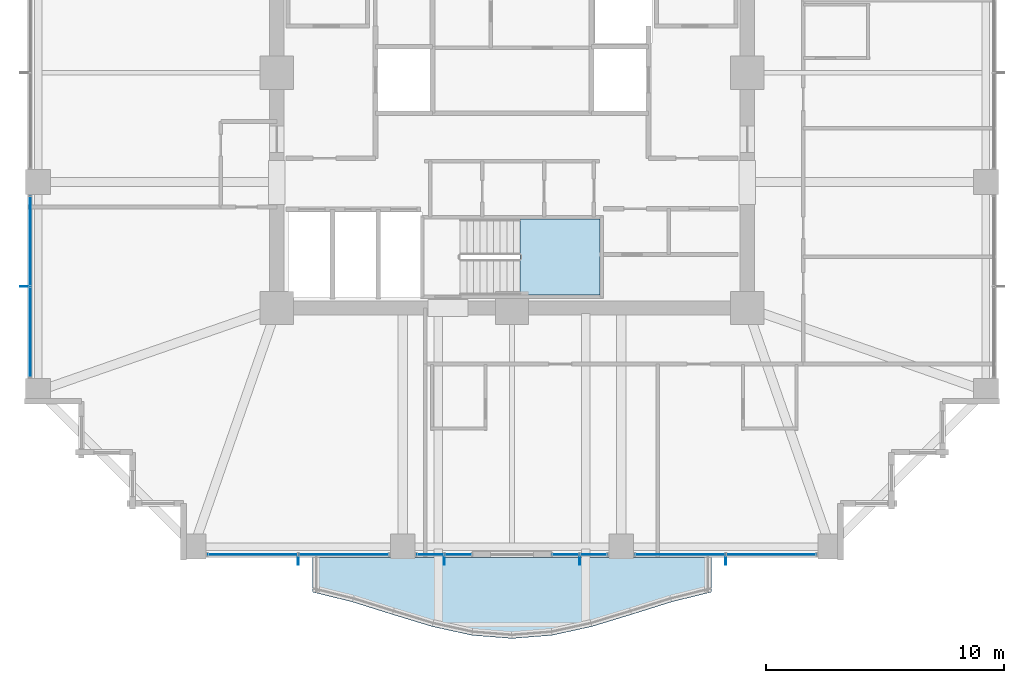
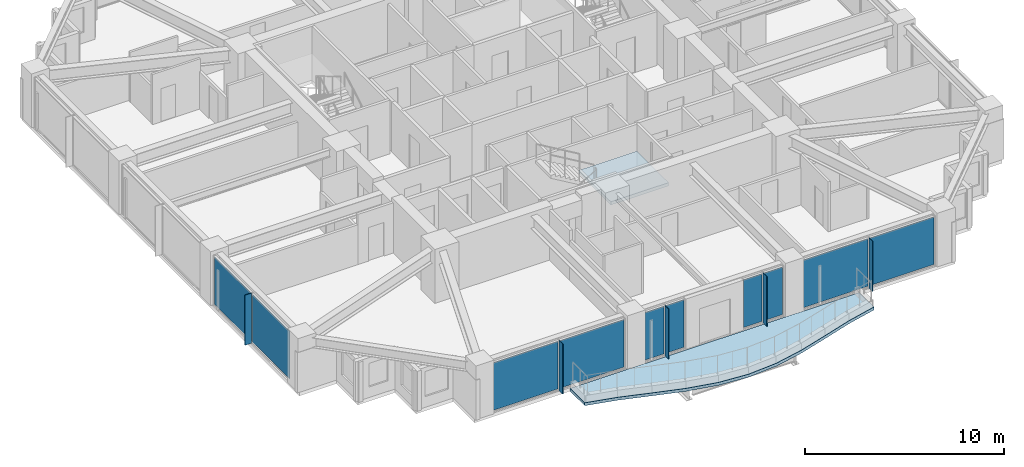
# One storey, part 26 of 38: 15 plates, 2 slabs, 6 elements without a shape of their own.
"""IFC4 building model written with IfcOpenShell, lengths in metres."""

from ifc_helpers import new_model, si_unit, direction, frame, origin, origin_2d, place, context, subcontext, project, spatial, polyline, rectangle, outline, extrude, material, layer, layer_set, type_object, element, aggregate, save


model = new_model("IFC4")

# Units and contexts
model_context = context("Model", 3, precision=1e-05, world=origin(), true_north=direction((0.0, 1.0)))
body_context = subcontext(model_context, "Body", "Model", "MODEL_VIEW")
ifc_project = project(units=[si_unit("LENGTHUNIT", "METRE"), si_unit("AREAUNIT", "SQUARE_METRE"), si_unit("VOLUMEUNIT", "CUBIC_METRE"), si_unit("PLANEANGLEUNIT", "RADIAN"), si_unit("MASSUNIT", "GRAM", prefix="KILO")], contexts=[model_context])

# Site, building, storey
site_placement = place(None, origin())
site = spatial("IfcSite", under=ifc_project, at=site_placement, CompositionType="ELEMENT")
building_placement = place(site_placement, origin())
building = spatial("IfcBuilding", under=site, at=building_placement, Name="Kolvaren Belvedere", CompositionType="ELEMENT")
storey_placement = place(building_placement, frame((0.0, 0.0, 98.60009765625)))
storey = spatial("IfcBuildingStorey", under=building, at=storey_placement, Name="L28", CompositionType="ELEMENT", Elevation=98.60009765625)

# Curtain wall, plates
ifc_material_1 = material(Name="Anodised pale-metal aluminium AA 6063-T6", Category="aluminium")
curtain_wall_type = type_object("IfcCurtainWallType", Name="CW-Z2-MID", PredefinedType="NOTDEFINED", material=ifc_material_1)
curtain_wall_1_placement = place(storey_placement, origin())
curtain_wall_1 = element("IfcCurtainWall", 1, at=curtain_wall_1_placement, inside=storey, type_object=curtain_wall_type, Name="L28 Unitised Curtain Wall FCW-L28-S1-B1", PredefinedType="NOTDEFINED")
ifc_material_2 = material(Name="Low-iron triple insulated glass", Category="glass")
ifc_layer_1 = layer(ifc_material_2, 0.028076171875)
ifc_layer_set_1 = layer_set([ifc_layer_1], Name="Low-iron triple insulated glass")
plate_type_1 = type_object("IfcPlateType", Name="CW-PNL-VIS28", PredefinedType="CURTAIN_PANEL", material=ifc_layer_set_1)
plate_1_placement = place(storey_placement, frame((10.9111328125, -20.280029296875, 0.079833984375), z_axis=(0.0, 0.0, 1.0), x_axis=(-1.0, 0.0, 0.0)))
plate_1 = element("IfcPlate", 2, at=plate_1_placement, type_object=plate_type_1, Name="FCW-L28-S1-B1 Vision Glazing Panel 1", PredefinedType="CURTAIN_PANEL", context=body_context, shape_type="SweptSolid", body=[
    extrude(rectangle(XDim=3.742431640625, YDim=0.028076171875, at=origin_2d()), origin(), (0.0, 0.0, 1.0), 2.919921875),
])
plate_2_placement = place(storey_placement, frame((7.0888671875, -20.280029296875, 0.079833984375), z_axis=(0.0, 0.0, 1.0), x_axis=(-1.0, 0.0, 0.0)))
plate_2 = element("IfcPlate", 3, at=plate_2_placement, type_object=plate_type_1, Name="FCW-L28-S1-B1 Vision Glazing Panel 2", PredefinedType="CURTAIN_PANEL", context=body_context, shape_type="SweptSolid", body=[
    extrude(rectangle(XDim=3.742431640625, YDim=0.028076171875, at=origin_2d()), origin(), (0.0, 0.0, 1.0), 2.919921875),
])
aggregate(curtain_wall_1, [plate_1, plate_2])

curtain_wall_2_placement = place(storey_placement, origin())
curtain_wall_2 = element("IfcCurtainWall", 4, at=curtain_wall_2_placement, inside=storey, type_object=curtain_wall_type, Name="L28 Unitised Curtain Wall FCW-L28-S1-B2", PredefinedType="NOTDEFINED")
plate_3_placement = place(storey_placement, frame((3.43701171875, -20.280029296875, 0.079833984375), z_axis=(0.0, 0.0, 1.0), x_axis=(-1.0, 0.0, 0.0)))
plate_3 = element("IfcPlate", 5, at=plate_3_placement, type_object=plate_type_1, Name="FCW-L28-S1-B2 Vision Glazing Panel 1", PredefinedType="CURTAIN_PANEL", context=body_context, shape_type="SweptSolid", body=[
    extrude(rectangle(XDim=1.09130859375, YDim=0.028076171875, at=origin_2d()), origin(), (0.0, 0.0, 1.0), 2.919921875),
])
plate_4_placement = place(storey_placement, frame((2.265625, -20.280029296875, 0.079833984375), z_axis=(0.0, 0.0, 1.0), x_axis=(-1.0, 0.0, 0.0)))
plate_4 = element("IfcPlate", 6, at=plate_4_placement, type_object=plate_type_1, Name="FCW-L28-S1-B2 Vision Glazing Panel 2", PredefinedType="CURTAIN_PANEL", context=body_context, shape_type="SweptSolid", body=[
    extrude(rectangle(XDim=1.09130859375, YDim=0.028076171875, at=origin_2d()), origin(), (0.0, 0.0, 1.0), 2.919921875),
])
aggregate(curtain_wall_2, [plate_3, plate_4])

curtain_wall_3_placement = place(storey_placement, origin())
curtain_wall_3 = element("IfcCurtainWall", 7, at=curtain_wall_3_placement, inside=storey, type_object=curtain_wall_type, Name="L28 Unitised Curtain Wall FCW-L28-S2-B1", PredefinedType="NOTDEFINED")
plate_5_placement = place(storey_placement, frame((-2.265625, -20.280029296875, 0.079833984375), z_axis=(0.0, 0.0, 1.0), x_axis=(-1.0, 0.0, 0.0)))
plate_5 = element("IfcPlate", 8, at=plate_5_placement, type_object=plate_type_1, Name="FCW-L28-S2-B1 Vision Glazing Panel 1", PredefinedType="CURTAIN_PANEL", context=body_context, shape_type="SweptSolid", body=[
    extrude(rectangle(XDim=1.09130859375, YDim=0.028076171875, at=origin_2d()), origin(), (0.0, 0.0, 1.0), 2.919921875),
])
plate_6_placement = place(storey_placement, frame((-3.43701171875, -20.280029296875, 0.079833984375), z_axis=(0.0, 0.0, 1.0), x_axis=(-1.0, 0.0, 0.0)))
plate_6 = element("IfcPlate", 9, at=plate_6_placement, type_object=plate_type_1, Name="FCW-L28-S2-B1 Vision Glazing Panel 2", PredefinedType="CURTAIN_PANEL", context=body_context, shape_type="SweptSolid", body=[
    extrude(rectangle(XDim=1.09130859375, YDim=0.028076171875, at=origin_2d()), origin(), (0.0, 0.0, 1.0), 2.919921875),
])
aggregate(curtain_wall_3, [plate_5, plate_6])

curtain_wall_4_placement = place(storey_placement, origin())
curtain_wall_4 = element("IfcCurtainWall", 10, at=curtain_wall_4_placement, inside=storey, type_object=curtain_wall_type, Name="L28 Unitised Curtain Wall FCW-L28-S2-B2", PredefinedType="NOTDEFINED")
plate_7_placement = place(storey_placement, frame((-7.0888671875, -20.280029296875, 0.079833984375), z_axis=(0.0, 0.0, 1.0), x_axis=(-1.0, 0.0, 0.0)))
plate_7 = element("IfcPlate", 11, at=plate_7_placement, type_object=plate_type_1, Name="FCW-L28-S2-B2 Vision Glazing Panel 1", PredefinedType="CURTAIN_PANEL", context=body_context, shape_type="SweptSolid", body=[
    extrude(rectangle(XDim=3.742431640625, YDim=0.028076171875, at=origin_2d()), origin(), (0.0, 0.0, 1.0), 2.919921875),
])
plate_8_placement = place(storey_placement, frame((-10.9111328125, -20.280029296875, 0.079833984375), z_axis=(0.0, 0.0, 1.0), x_axis=(-1.0, 0.0, 0.0)))
plate_8 = element("IfcPlate", 12, at=plate_8_placement, type_object=plate_type_1, Name="FCW-L28-S2-B2 Vision Glazing Panel 2", PredefinedType="CURTAIN_PANEL", context=body_context, shape_type="SweptSolid", body=[
    extrude(rectangle(XDim=3.742431640625, YDim=0.028076171875, at=origin_2d()), origin(), (0.0, 0.0, 1.0), 2.919921875),
])
aggregate(curtain_wall_4, [plate_7, plate_8])

curtain_wall_5_placement = place(storey_placement, origin())
curtain_wall_5 = element("IfcCurtainWall", 13, at=curtain_wall_5_placement, inside=storey, type_object=curtain_wall_type, Name="L28 Unitised Curtain Wall FCW-L28-W-B1", PredefinedType="NOTDEFINED")
plate_9_placement = place(storey_placement, frame((-20.280029296875, -10.9111328125, 0.079833984375), z_axis=(0.0, 0.0, 1.0), x_axis=(0.0, 1.0, 0.0)))
plate_9 = element("IfcPlate", 14, at=plate_9_placement, type_object=plate_type_1, Name="FCW-L28-W-B1 Vision Glazing Panel 1", PredefinedType="CURTAIN_PANEL", context=body_context, shape_type="SweptSolid", body=[
    extrude(rectangle(XDim=3.742431640625, YDim=0.028076171875, at=origin_2d()), origin(), (0.0, 0.0, 1.0), 2.919921875),
])
plate_10_placement = place(storey_placement, frame((-20.280029296875, -7.0888671875, 0.079833984375), z_axis=(0.0, 0.0, 1.0), x_axis=(0.0, 1.0, 0.0)))
plate_10 = element("IfcPlate", 15, at=plate_10_placement, type_object=plate_type_1, Name="FCW-L28-W-B1 Vision Glazing Panel 2", PredefinedType="CURTAIN_PANEL", context=body_context, shape_type="SweptSolid", body=[
    extrude(rectangle(XDim=3.742431640625, YDim=0.028076171875, at=origin_2d()), origin(), (0.0, 0.0, 1.0), 2.919921875),
])
aggregate(curtain_wall_5, [plate_9, plate_10])

# Plates
ifc_material_3 = material(Name="Anodised pale-metal aluminium AA 6063-T6", Category="aluminium")
ifc_layer_2 = layer(ifc_material_3, 0.033935546875)
ifc_layer_set_2 = layer_set([ifc_layer_2], Name="Anodised pale-metal aluminium AA 6063-T6")
plate_type_2 = type_object("IfcPlateType", Name="FIN-VERT-380", PredefinedType="USERDEFINED", material=ifc_layer_set_2)
for number, where, z_axis, x_axis, name in (
    (16, (9.0, -20.52490234375, -0.000244140625), (0.0, 0.0, 1.0), (0.0, 1.0, 0.0), "L28 Pale-Metal Vertical Shading Fin FCW-L28-S1-B1-1"),
    (17, (2.851318359375, -20.52490234375, -0.000244140625), (0.0, 0.0, 1.0), (0.0, 1.0, 0.0), "L28 Pale-Metal Vertical Shading Fin FCW-L28-S1-B2-1"),
    (18, (-2.851318359375, -20.52490234375, -0.000244140625), (0.0, 0.0, 1.0), (0.0, 1.0, 0.0), "L28 Pale-Metal Vertical Shading Fin FCW-L28-S2-B1-1"),
    (19, (-9.0, -20.52490234375, -0.000244140625), (0.0, 0.0, 1.0), (0.0, 1.0, 0.0), "L28 Pale-Metal Vertical Shading Fin FCW-L28-S2-B2-1"),
    (20, (-20.52490234375, -9.0, -0.000244140625), (0.0, 0.0, 1.0), (1.0, 0.0, 0.0), "L28 Pale-Metal Vertical Shading Fin FCW-L28-W-B1-1"),
):
    element("IfcPlate", number, at=place(storey_placement, frame(where, z_axis=z_axis, x_axis=x_axis)), inside=storey, type_object=plate_type_2, Name=name, ObjectType="VERTICAL FIN", PredefinedType="USERDEFINED", context=body_context, shape_type="SweptSolid", body=[
        extrude(rectangle(XDim=0.3798828125, YDim=0.033935546875, at=origin_2d()), origin(), (0.0, 0.0, 1.0), 3.080078125),
    ])

# Slab
ifc_material_4 = material(Name="Concrete C50/60", Category="concrete")
ifc_layer_3 = layer(ifc_material_4, 0.179931640625)
ifc_layer_set_3 = layer_set([ifc_layer_3], Name="Concrete C50/60")
slab_type_1 = type_object("IfcSlabType", Name="SL-BAL-180", PredefinedType="FLOOR", material=ifc_layer_set_3)
slab_1_placement = place(storey_placement, frame((0.0, 0.0, -0.22021484375)))
element("IfcSlab", 21, at=slab_1_placement, inside=storey, type_object=slab_type_1, Name="L28 Planted Balcony BAL-S", PredefinedType="FLOOR", context=body_context, shape_type="SweptSolid", body=[
    extrude(outline(polyline([(-8.39990234375, -21.8662109375), (-6.719970703125, -22.2802734375), (-5.0400390625, -22.807861328125), (-3.360107421875, -23.318603515625), (-1.679931640625, -23.686279296875), (0.0, -23.820068359375), (1.679931640625, -23.686279296875), (3.360107421875, -23.318603515625), (5.0400390625, -22.807861328125), (6.719970703125, -22.2802734375), (8.39990234375, -21.8662109375), (8.39990234375, -20.39990234375), (6.719970703125, -20.39990234375), (5.0400390625, -20.39990234375), (3.360107421875, -20.39990234375), (1.679931640625, -20.39990234375), (0.0, -20.39990234375), (-1.679931640625, -20.39990234375), (-3.360107421875, -20.39990234375), (-5.0400390625, -20.39990234375), (-6.719970703125, -20.39990234375), (-8.39990234375, -20.39990234375), (-8.39990234375, -21.8662109375)])), origin(), (0.0, 0.0, 1.0), 0.18017578125),
])

# Stair, slab
ifc_material_5 = material(Name="Concrete C50/60", Category="concrete")
stair_type = type_object("IfcStairType", Name="ST-CORE-1520", PredefinedType="HALF_TURN_STAIR", material=ifc_material_5)
stair_placement = place(storey_placement, origin())
stair = element("IfcStair", 22, at=stair_placement, inside=storey, type_object=stair_type, Name="L28 Protected Exit Stair ST-3", PredefinedType="HALF_TURN_STAIR")
ifc_material_6 = material(Name="Concrete C50/60", Category="concrete")
ifc_layer_4 = layer(ifc_material_6, 0.260009765625)
ifc_layer_set_4 = layer_set([ifc_layer_4], Name="Concrete C50/60")
slab_type_2 = type_object("IfcSlabType", Name="SL-LAND-260", PredefinedType="LANDING", material=ifc_layer_set_4)
slab_2_placement = place(storey_placement, frame((0.0, 0.0, 1.449951171875)))
slab_2 = element("IfcSlab", 23, at=slab_2_placement, type_object=slab_type_2, Name="ST-3 landing 1", PredefinedType="LANDING", context=body_context, shape_type="SweptSolid", body=[
    extrude(outline(polyline([(0.340087890625, -9.35009765625), (3.699951171875, -9.35009765625), (3.699951171875, -6.159912109375), (0.340087890625, -6.159912109375), (0.340087890625, -9.35009765625)])), origin(), (0.0, 0.0, 1.0), 0.199951171875),
])
aggregate(stair, [slab_2])

save(model, "model.ifc")
